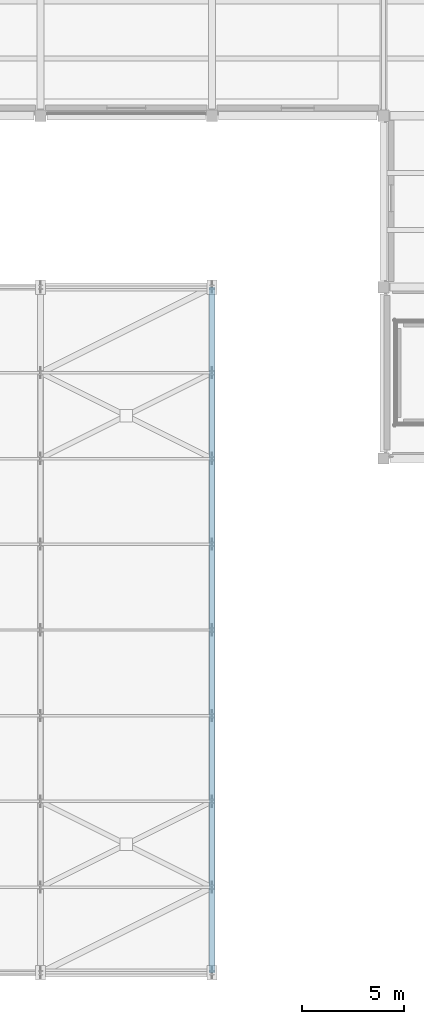
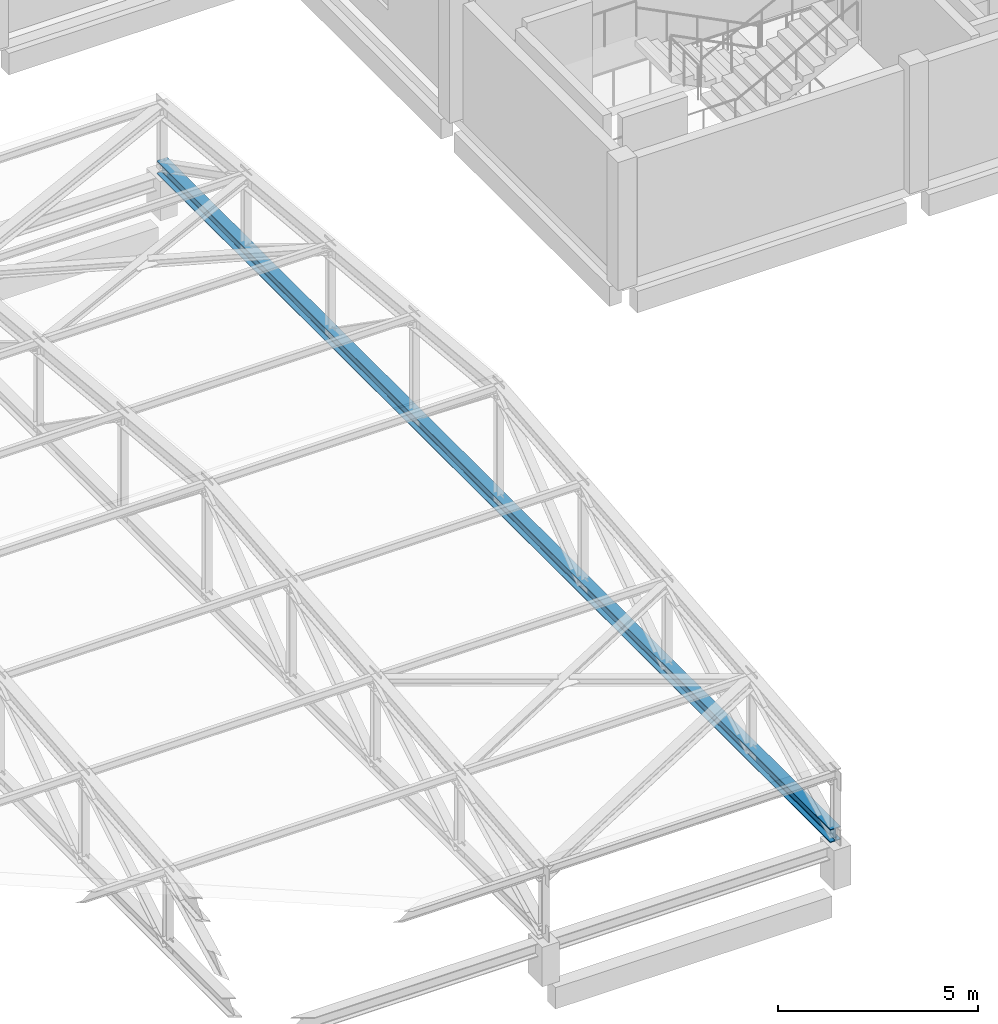
# One storey, part 25 of 74: 1 beam.
"""IFC4 building model written with IfcOpenShell, lengths in metres."""

from ifc_helpers import new_model, si_unit, derived_unit, direction, frame, origin, origin_2d, place, context, subcontext, project, spatial, i_section, extrude, material, material_profile, profile_set, type_object, element, save


model = new_model("IFC4")

# Units and contexts
model_context = context("Model", 3, precision=1e-05, world=origin(), true_north=direction((0.0, 1.0)))
body_context = subcontext(model_context, "Body", "Model", "MODEL_VIEW")
ifc_project = project(units=[si_unit("LENGTHUNIT", "METRE"), si_unit("AREAUNIT", "SQUARE_METRE"), si_unit("VOLUMEUNIT", "CUBIC_METRE"), si_unit("PLANEANGLEUNIT", "RADIAN"), si_unit("MASSUNIT", "GRAM", prefix="KILO"), derived_unit("THERMALTRANSMITTANCEUNIT", [(si_unit("POWERUNIT", "WATT"), 1), (si_unit("LENGTHUNIT", "METRE"), -2), (si_unit("THERMODYNAMICTEMPERATUREUNIT", "KELVIN"), -1)])], contexts=[model_context])

# Site, building, storey
site_placement = place(None, origin())
site = spatial("IfcSite", under=ifc_project, at=site_placement, CompositionType="ELEMENT")
building_placement = place(site_placement, origin())
building = spatial("IfcBuilding", under=site, at=building_placement, Name="Elbkamm Science Centre", CompositionType="ELEMENT")
storey_placement = place(building_placement, frame((0.0, 0.0, 14.39990234375)))
storey = spatial("IfcBuildingStorey", under=building, at=storey_placement, Name="L03", CompositionType="ELEMENT", Elevation=14.39990234375)

# Beam
ifc_material = material(Name="Steel EN 10025-2 S355J2", Category="steel")
ifc_material_profile = material_profile(ifc_material, i_section(OverallWidth=0.300048828125, OverallDepth=0.39990234375, WebThickness=0.013427734375, FlangeThickness=0.02392578125, FilletRadius=0.027099609375, at=origin_2d()), Name="HEB 400")
ifc_profile_set = profile_set([ifc_material_profile], Name="Steel EN 10025-2 S355J2")
beam_type = type_object("IfcBeamType", Name="BM-STL-HEB400", PredefinedType="BEAM", material=ifc_profile_set)
beam_placement = place(storey_placement, frame((117.60009765625, 0.0, 1.400146484375), z_axis=(0.0, 1.0, 0.0), x_axis=(-1.0, 0.0, 0.0)))
element("IfcBeam", 1, at=beam_placement, inside=storey, type_object=beam_type, Name="Theatre Steel Truss 07 Continuous Bottom Tie Chord", PredefinedType="BEAM", context=body_context, shape_type="SweptSolid", body=[
    extrude(i_section(OverallWidth=0.300048828125, OverallDepth=0.39990234375, WebThickness=0.013427734375, FlangeThickness=0.02392578125, FilletRadius=0.027099609375, at=origin_2d()), origin(), (0.0, 0.0, 1.0), 33.60009765625),
])

save(model, "model.ifc")
